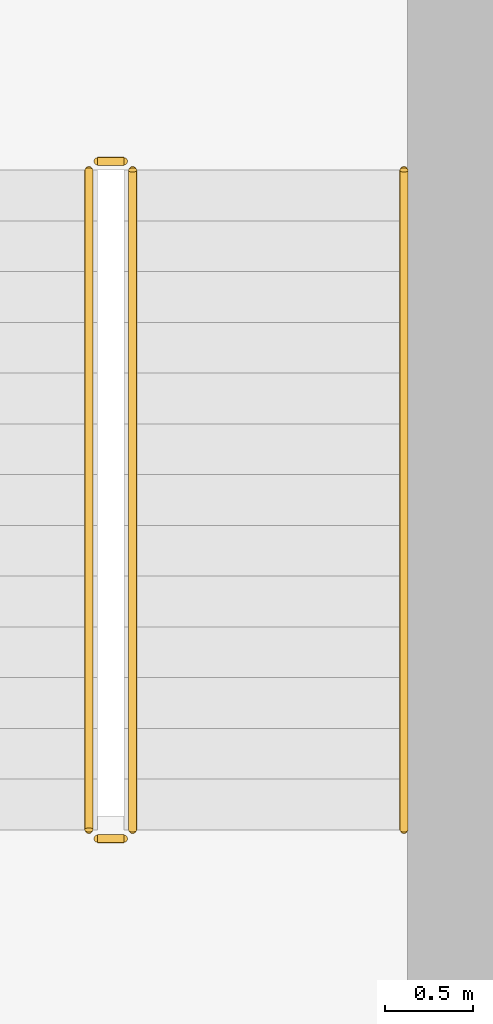
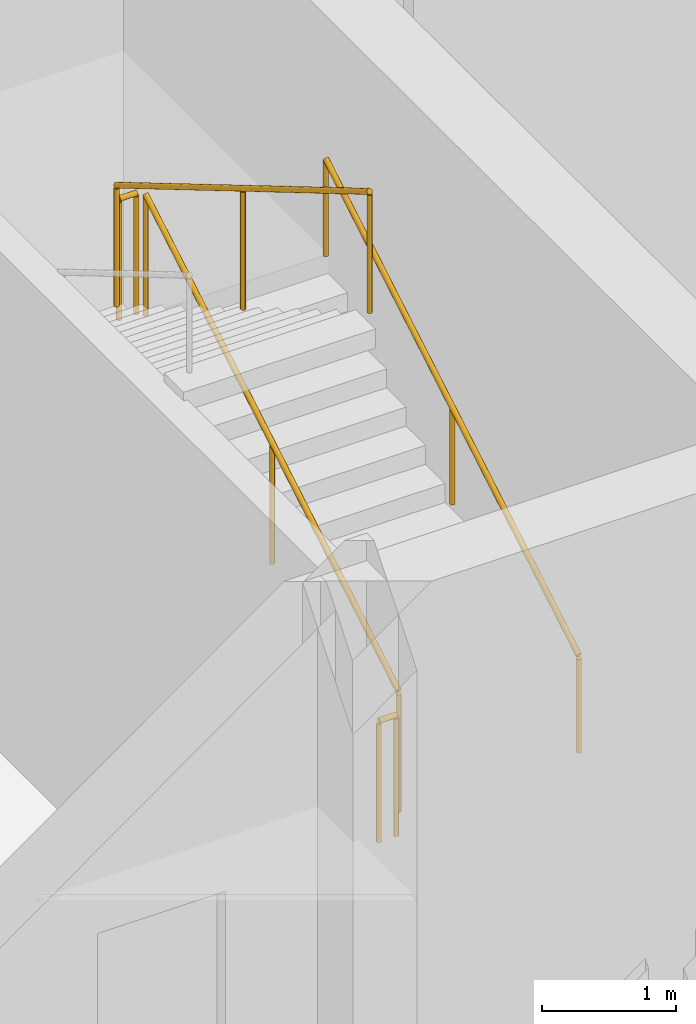
# One storey, part 17 of 18: 5 railings.
"""IFC4 building model written with IfcOpenShell, lengths in metres."""

from ifc_helpers import new_model, si_unit, direction, frame, origin, origin_2d, place, context, subcontext, project, spatial, circle, extrude, material, type_object, element, save


model = new_model("IFC4")

# Units and contexts
model_context = context("Model", 3, precision=1e-05, world=origin(), true_north=direction((0.0, 1.0)))
body_context = subcontext(model_context, "Body", "Model", "MODEL_VIEW")
ifc_project = project(units=[si_unit("LENGTHUNIT", "METRE"), si_unit("AREAUNIT", "SQUARE_METRE"), si_unit("VOLUMEUNIT", "CUBIC_METRE"), si_unit("PLANEANGLEUNIT", "RADIAN"), si_unit("MASSUNIT", "GRAM", prefix="KILO")], contexts=[model_context])

# Site, building, storey
site_placement = place(None, origin())
site = spatial("IfcSite", under=ifc_project, at=site_placement, CompositionType="ELEMENT")
building_placement = place(site_placement, origin())
building = spatial("IfcBuilding", under=site, at=building_placement, Name="Varnelok Gate Tower", CompositionType="ELEMENT")
storey_placement = place(building_placement, frame((0.0, 0.0, 296.300048828125)))
storey = spatial("IfcBuildingStorey", under=building, at=storey_placement, Name="L76", CompositionType="ELEMENT", Elevation=296.300048828125)

# Railings
ifc_material_1 = material(Name="Brushed Stainless Steel AISI 316", Category="steel")
railing_type_1 = type_object("IfcRailingType", Name="RL-HANDRAIL-900", PredefinedType="HANDRAIL", material=ifc_material_1)
railing_1_placement = place(storey_placement, frame((47.25, 31.60009765625, 0.17138671875)))
element("IfcRailing", 1, at=railing_1_placement, inside=storey, type_object=railing_type_1, Name="L76 ST-2 stair handrail 1", PredefinedType="HANDRAIL", context=body_context, shape_type="SweptSolid", body=[
    extrude(circle(Radius=0.02392578125, at=origin_2d()), frame((0.0, 0.0, 0.8759765625), z_axis=(0.0, 0.860848830602, 0.508860777473), x_axis=(-1.0, 0.0, 0.0)), (0.0, 0.0, 1.0), 4.37939453125),
    extrude(circle(Radius=0.02099609375, at=origin_2d()), origin(), (0.0, 0.0, 1.0), 0.851806640625),
    extrude(circle(Radius=0.02099609375, at=origin_2d()), frame((0.0, 1.885009765625, 1.1142578125)), (0.0, 0.0, 1.0), 0.851806640625),
    extrude(circle(Radius=0.02099609375, at=origin_2d()), frame((0.0, 3.77001953125, 2.228515625)), (0.0, 0.0, 1.0), 0.851806640625),
])
ifc_material_2 = material(Name="Galvanized Steel Grade S350GD", Category="steel")
railing_type_2 = type_object("IfcRailingType", Name="RL-STAIR-GUARD1120", PredefinedType="GUARDRAIL", material=ifc_material_2)
railing_2_placement = place(storey_placement, frame((45.699951171875, 31.60009765625, 0.17138671875)))
element("IfcRailing", 2, at=railing_2_placement, inside=storey, type_object=railing_type_2, Name="L76 ST-2 stair guard 1", PredefinedType="GUARDRAIL", context=body_context, shape_type="SweptSolid", body=[
    extrude(circle(Radius=0.02392578125, at=origin_2d()), frame((0.0, 0.0, 1.09619140625), z_axis=(0.0, 0.860848830602, 0.508860777473), x_axis=(-1.0, 0.0, 0.0)), (0.0, 0.0, 1.0), 4.37939453125),
    extrude(circle(Radius=0.02099609375, at=origin_2d()), origin(), (0.0, 0.0, 1.0), 1.072021484375),
    extrude(circle(Radius=0.02099609375, at=origin_2d()), frame((0.0, 1.885009765625, 1.1142578125)), (0.0, 0.0, 1.0), 1.072021484375),
    extrude(circle(Radius=0.02099609375, at=origin_2d()), frame((0.0, 3.77001953125, 2.228515625)), (0.0, 0.0, 1.0), 1.072021484375),
])
railing_3_placement = place(storey_placement, frame((45.64990234375, 35.419921875, 2.39990234375)))
element("IfcRailing", 3, at=railing_3_placement, inside=storey, type_object=railing_type_2, Name="L76 ST-2 stair guard 2", PredefinedType="GUARDRAIL", context=body_context, shape_type="SweptSolid", body=[
    extrude(circle(Radius=0.02392578125, at=origin_2d()), frame((0.0, 0.0, 1.09619140625), z_axis=(-1.0, 0.0, 0.0), x_axis=(0.0, -1.0, 0.0)), (0.0, 0.0, 1.0), 0.14990234375),
    extrude(circle(Radius=0.02099609375, at=origin_2d()), origin(), (0.0, 0.0, 1.0), 1.072021484375),
    extrude(circle(Radius=0.02099609375, at=origin_2d()), frame((-0.14990234375, 0.0, 0.0)), (0.0, 0.0, 1.0), 1.072021484375),
])
railing_4_placement = place(storey_placement, frame((45.449951171875, 35.3701171875, 2.5712890625)))
element("IfcRailing", 4, at=railing_4_placement, inside=storey, type_object=railing_type_2, Name="L76 ST-2 stair guard 3", PredefinedType="GUARDRAIL", context=body_context, shape_type="SweptSolid", body=[
    extrude(circle(Radius=0.02392578125, at=origin_2d()), frame((0.0, 0.0, 1.09619140625), z_axis=(0.0, -0.860824410104, 0.508902087802), x_axis=(1.0, 0.0, 0.0)), (0.0, 0.0, 1.0), 4.379638671875),
    extrude(circle(Radius=0.02099609375, at=origin_2d()), origin(), (0.0, 0.0, 1.0), 1.072021484375),
    extrude(circle(Radius=0.02099609375, at=origin_2d()), frame((0.0, -1.885009765625, 1.1142578125)), (0.0, 0.0, 1.0), 1.072021484375),
    extrude(circle(Radius=0.02099609375, at=origin_2d()), frame((0.0, -3.77001953125, 2.228759765625)), (0.0, 0.0, 1.0), 1.072021484375),
])
railing_5_placement = place(storey_placement, frame((45.64990234375, 31.550048828125, 0.0)))
element("IfcRailing", 5, at=railing_5_placement, inside=storey, type_object=railing_type_2, Name="L76 ST-2 stair guard 4", PredefinedType="GUARDRAIL", context=body_context, shape_type="SweptSolid", body=[
    extrude(circle(Radius=0.02392578125, at=origin_2d()), frame((0.0, 0.0, 1.09619140625), z_axis=(-1.0, 0.0, 0.0), x_axis=(0.0, -1.0, 0.0)), (0.0, 0.0, 1.0), 0.14990234375),
    extrude(circle(Radius=0.02099609375, at=origin_2d()), origin(), (0.0, 0.0, 1.0), 1.072021484375),
    extrude(circle(Radius=0.02099609375, at=origin_2d()), frame((-0.14990234375, 0.0, 0.0)), (0.0, 0.0, 1.0), 1.072021484375),
])

save(model, "model.ifc")
